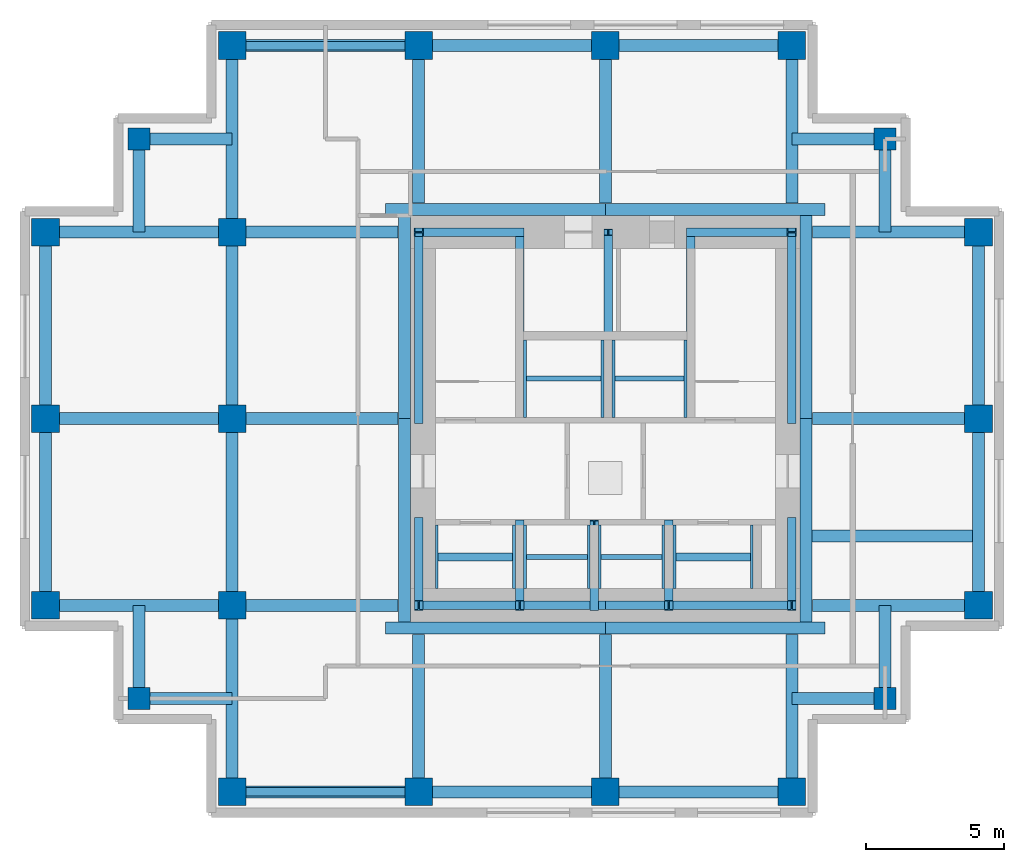
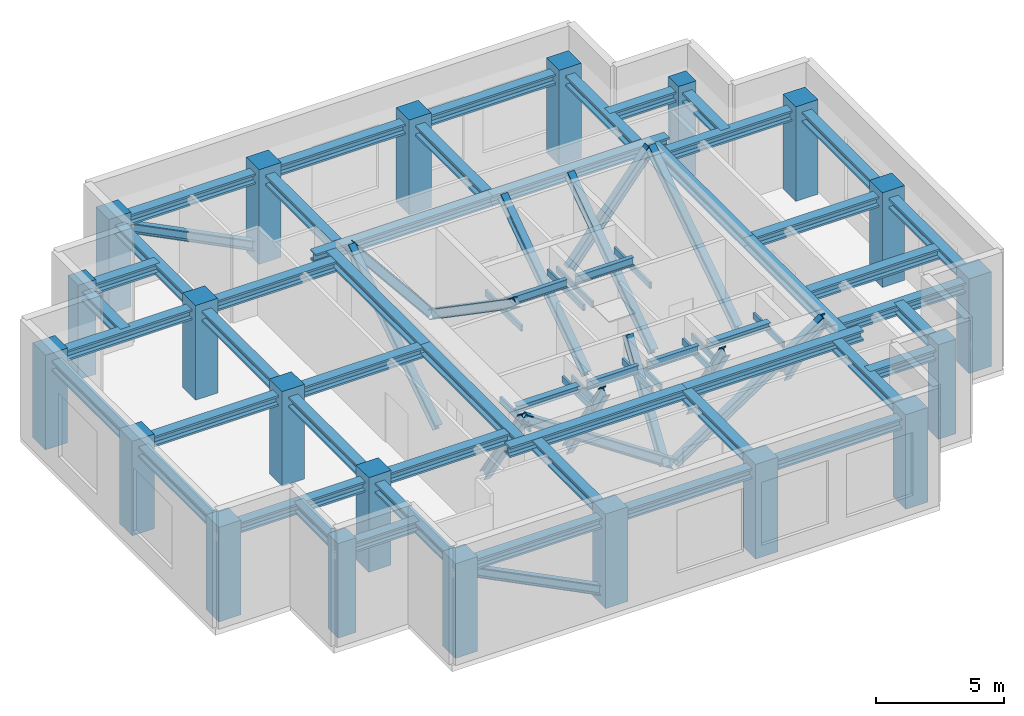
# One storey, part 1 of 4: 64 beams, 21 columns, 16 members.
"""IFC4 building model written with IfcOpenShell, lengths in metres."""

from ifc_helpers import new_model, si_unit, direction, frame, origin, origin_2d, place, context, subcontext, project, spatial, rectangle, hollow_rectangle, i_section, extrude, material, material_profile, profile_set, type_object, element, save


model = new_model("IFC4")

# Units and contexts
model_context = context("Model", 3, precision=1e-05, world=origin(), true_north=direction((0.0, 1.0)))
body_context = subcontext(model_context, "Body", "Model", "MODEL_VIEW")
ifc_project = project(units=[si_unit("LENGTHUNIT", "METRE"), si_unit("AREAUNIT", "SQUARE_METRE"), si_unit("VOLUMEUNIT", "CUBIC_METRE"), si_unit("PLANEANGLEUNIT", "RADIAN"), si_unit("MASSUNIT", "GRAM", prefix="KILO")], contexts=[model_context])

# Site, building, storey
site_placement = place(None, origin())
site = spatial("IfcSite", under=ifc_project, at=site_placement, CompositionType="ELEMENT")
building_placement = place(site_placement, origin())
building = spatial("IfcBuilding", under=site, at=building_placement, Name="Nyansa Garden Tower", CompositionType="ELEMENT")
storey_placement = place(building_placement, frame((0.0, 0.0, 254.699951171875)))
storey = spatial("IfcBuildingStorey", under=building, at=storey_placement, Name="L69", CompositionType="ELEMENT", Elevation=254.699951171875)

# Columns
ifc_material_1 = material(Name="Concrete C70/85", Category="concrete")
ifc_material_profile_1 = material_profile(ifc_material_1, rectangle(XDim=1.0, YDim=1.0, at=origin_2d()), Name="RC 1000x1000")
ifc_profile_set_1 = profile_set([ifc_material_profile_1], Name="Concrete C70/85")
column_type_1 = type_object("IfcColumnType", Name="Column C100 RC 1000x1000", PredefinedType="COLUMN", material=ifc_profile_set_1)
for number, where, z_axis, x_axis, name in (
    (1, (0.0, 13.5, 0.0), (0.0, 0.0, 1.0), (1.0, 0.0, 0.0), "Column 2/F L69"),
    (2, (0.0, 20.25, 0.0), (0.0, 0.0, 1.0), (1.0, 0.0, 0.0), "Column 2/G L69"),
    (3, (0.0, 27.0, 0.0), (0.0, 0.0, 1.0), (1.0, 0.0, 0.0), "Column 2/H L69"),
    (4, (6.75, 6.75, 0.0), (0.0, 0.0, 1.0), (1.0, 0.0, 0.0), "Column 3/E L69"),
    (5, (6.75, 13.5, 0.0), (0.0, 0.0, 1.0), (1.0, 0.0, 0.0), "Column 3/F L69"),
    (6, (6.75, 20.25, 0.0), (0.0, 0.0, 1.0), (1.0, 0.0, 0.0), "Column 3/G L69"),
    (7, (6.75, 27.0, 0.0), (0.0, 0.0, 1.0), (1.0, 0.0, 0.0), "Column 3/H L69"),
    (8, (6.75, 33.75, 0.0), (0.0, 0.0, 1.0), (1.0, 0.0, 0.0), "Column 3/J L69"),
    (9, (13.5, 6.75, 0.0), (0.0, 0.0, 1.0), (1.0, 0.0, 0.0), "Column 4/E L69"),
    (10, (13.5, 33.75, 0.0), (0.0, 0.0, 1.0), (1.0, 0.0, 0.0), "Column 4/J L69"),
    (11, (20.25, 6.75, 0.0), (0.0, 0.0, 1.0), (1.0, 0.0, 0.0), "Column 5/E L69"),
    (12, (20.25, 33.75, 0.0), (0.0, 0.0, 1.0), (1.0, 0.0, 0.0), "Column 5/J L69"),
    (13, (27.0, 6.75, 0.0), (0.0, 0.0, 1.0), (1.0, 0.0, 0.0), "Column 6/E L69"),
    (14, (27.0, 33.75, 0.0), (0.0, 0.0, 1.0), (1.0, 0.0, 0.0), "Column 6/J L69"),
    (15, (33.75, 13.5, 0.0), (0.0, 0.0, 1.0), (1.0, 0.0, 0.0), "Column 7/F L69"),
    (16, (33.75, 20.25, 0.0), (0.0, 0.0, 1.0), (1.0, 0.0, 0.0), "Column 7/G L69"),
    (17, (33.75, 27.0, 0.0), (0.0, 0.0, 1.0), (1.0, 0.0, 0.0), "Column 7/H L69"),
):
    element("IfcColumn", number, at=place(storey_placement, frame(where, z_axis=z_axis, x_axis=x_axis)), inside=storey, type_object=column_type_1, Name=name, PredefinedType="COLUMN", context=body_context, shape_type="SweptSolid", body=[
        extrude(rectangle(XDim=1.0, YDim=1.0, at=origin_2d()), origin(), (0.0, 0.0, 1.0), 4.5),
    ])
ifc_material_2 = material(Name="Concrete C70/85", Category="concrete")
ifc_material_profile_2 = material_profile(ifc_material_2, rectangle(XDim=0.800048828125, YDim=0.800048828125, at=origin_2d()), Name="RC 800x800")
ifc_profile_set_2 = profile_set([ifc_material_profile_2], Name="Concrete C70/85")
column_type_2 = type_object("IfcColumnType", Name="Column C80 RC 800x800", PredefinedType="COLUMN", material=ifc_profile_set_2)
for number, where, z_axis, x_axis, name in (
    (18, (3.375, 10.125, 0.0), (0.0, 0.0, 1.0), (1.0, 0.0, 0.0), "Column x3.375/y10.125 L69"),
    (19, (3.375, 30.375, 0.0), (0.0, 0.0, 1.0), (1.0, 0.0, 0.0), "Column x3.375/y30.375 L69"),
    (20, (30.375, 10.125, 0.0), (0.0, 0.0, 1.0), (1.0, 0.0, 0.0), "Column x30.375/y10.125 L69"),
    (21, (30.375, 30.375, 0.0), (0.0, 0.0, 1.0), (1.0, 0.0, 0.0), "Column x30.375/y30.375 L69"),
):
    element("IfcColumn", number, at=place(storey_placement, frame(where, z_axis=z_axis, x_axis=x_axis)), inside=storey, type_object=column_type_2, Name=name, PredefinedType="COLUMN", context=body_context, shape_type="SweptSolid", body=[
        extrude(rectangle(XDim=0.800048828125, YDim=0.800048828125, at=origin_2d()), origin(), (0.0, 0.0, 1.0), 4.5),
    ])

# Beams
ifc_material_3 = material(Name="Steel S355", Category="steel")
ifc_material_profile_3 = material_profile(ifc_material_3, hollow_rectangle(XDim=0.10009765625, YDim=0.300048828125, WallThickness=0.010009765625, at=origin_2d()), Name="RHS 300x100x10")
ifc_profile_set_3 = profile_set([ifc_material_profile_3], Name="Steel S355")
beam_type_1 = type_object("IfcBeamType", Name="Hoist beam ledger RHS 300x100x10", PredefinedType="BEAM", material=ifc_profile_set_3)
for number, where, z_axis, x_axis, name in (
    (22, (14.14990234375, 14.10009765625, 3.400146484375), (0.0, 1.0, 0.0), (-1.0, 0.0, 0.0), "Hoist beam ledger FF1 W"),
    (23, (16.949951171875, 14.10009765625, 3.400146484375), (0.0, 1.0, 0.0), (-1.0, 0.0, 0.0), "Hoist beam ledger FF1 E"),
    (24, (17.35009765625, 14.10009765625, 3.300048828125), (0.0, 1.0, 0.0), (-1.0, 0.0, 0.0), "Hoist beam ledger B1 W"),
    (25, (19.64990234375, 14.10009765625, 3.300048828125), (0.0, 1.0, 0.0), (-1.0, 0.0, 0.0), "Hoist beam ledger B1 E"),
    (26, (20.050048828125, 14.10009765625, 3.300048828125), (0.0, 1.0, 0.0), (-1.0, 0.0, 0.0), "Hoist beam ledger B2 W"),
    (27, (22.35009765625, 14.10009765625, 3.300048828125), (0.0, 1.0, 0.0), (-1.0, 0.0, 0.0), "Hoist beam ledger B2 E"),
    (28, (22.75, 14.10009765625, 3.400146484375), (0.0, 1.0, 0.0), (-1.0, 0.0, 0.0), "Hoist beam ledger FF2 W"),
    (29, (25.550048828125, 14.10009765625, 3.400146484375), (0.0, 1.0, 0.0), (-1.0, 0.0, 0.0), "Hoist beam ledger FF2 E"),
):
    element("IfcBeam", number, at=place(storey_placement, frame(where, z_axis=z_axis, x_axis=x_axis)), inside=storey, type_object=beam_type_1, Name=name, PredefinedType="BEAM", context=body_context, shape_type="SweptSolid", body=[
        extrude(hollow_rectangle(XDim=0.10009765625, YDim=0.300048828125, WallThickness=0.010009765625, at=origin_2d()), origin(), (0.0, 0.0, 1.0), 2.2998046875),
    ])
for number, where, z_axis, x_axis, name in (
    (30, (17.35009765625, 20.300048828125, 3.300048828125), (0.0, 1.0, 0.0), (-1.0, 0.0, 0.0), "Hoist beam ledger B3 W"),
    (31, (20.14990234375, 20.300048828125, 3.300048828125), (0.0, 1.0, 0.0), (-1.0, 0.0, 0.0), "Hoist beam ledger B3 E"),
    (32, (20.550048828125, 20.300048828125, 3.300048828125), (0.0, 1.0, 0.0), (-1.0, 0.0, 0.0), "Hoist beam ledger B4 W"),
    (33, (23.14990234375, 20.300048828125, 3.300048828125), (0.0, 1.0, 0.0), (-1.0, 0.0, 0.0), "Hoist beam ledger B4 E"),
):
    element("IfcBeam", number, at=place(storey_placement, frame(where, z_axis=z_axis, x_axis=x_axis)), inside=storey, type_object=beam_type_1, Name=name, PredefinedType="BEAM", context=body_context, shape_type="SweptSolid", body=[
        extrude(hollow_rectangle(XDim=0.10009765625, YDim=0.300048828125, WallThickness=0.010009765625, at=origin_2d()), origin(), (0.0, 0.0, 1.0), 2.800048828125),
    ])
ifc_material_4 = material(Name="Steel S355", Category="steel")
ifc_material_profile_4 = material_profile(ifc_material_4, i_section(OverallWidth=0.300048828125, OverallDepth=0.300048828125, WebThickness=0.010986328125, FlangeThickness=0.01904296875, FilletRadius=0.027099609375, at=origin_2d()), Name="HE 300 B")
ifc_profile_set_4 = profile_set([ifc_material_profile_4], Name="Steel S355")
beam_type_2 = type_object("IfcBeamType", Name="Lift hoist beam HE 300 B", PredefinedType="BEAM", material=ifc_profile_set_4)
for number, where, z_axis, x_axis, name in (
    (34, (14.14990234375, 15.25, 3.699951171875), (1.0, 0.0, 0.0), (0.0, 1.0, 0.0), "Lift hoist beam FF1"),
    (35, (22.75, 15.25, 3.699951171875), (1.0, 0.0, 0.0), (0.0, 1.0, 0.0), "Lift hoist beam FF2"),
):
    element("IfcBeam", number, at=place(storey_placement, frame(where, z_axis=z_axis, x_axis=x_axis)), inside=storey, type_object=beam_type_2, Name=name, PredefinedType="BEAM", context=body_context, shape_type="SweptSolid", body=[
        extrude(i_section(OverallWidth=0.300048828125, OverallDepth=0.300048828125, WebThickness=0.010986328125, FlangeThickness=0.01904296875, FilletRadius=0.027099609375, at=origin_2d()), origin(), (0.0, 0.0, 1.0), 2.800048828125),
    ])
ifc_material_5 = material(Name="Steel S355", Category="steel")
ifc_material_profile_5 = material_profile(ifc_material_5, i_section(OverallWidth=0.179931640625, OverallDepth=0.39990234375, WebThickness=0.008544921875, FlangeThickness=0.013427734375, FilletRadius=0.02099609375, at=origin_2d()), Name="IPE 400")
ifc_profile_set_5 = profile_set([ifc_material_profile_5], Name="Steel S355")
beam_type_3 = type_object("IfcBeamType", Name="Lift hoist beam IPE 400", PredefinedType="BEAM", material=ifc_profile_set_5)
beam_1_placement = place(storey_placement, frame((17.35009765625, 15.25, 3.650146484375), z_axis=(1.0, 0.0, 0.0), x_axis=(0.0, 1.0, 0.0)))
element("IfcBeam", 36, at=beam_1_placement, inside=storey, type_object=beam_type_3, Name="Lift hoist beam B1", PredefinedType="BEAM", context=body_context, shape_type="SweptSolid", body=[
    extrude(i_section(OverallWidth=0.179931640625, OverallDepth=0.39990234375, WebThickness=0.008544921875, FlangeThickness=0.013427734375, FilletRadius=0.02099609375, at=origin_2d()), origin(), (0.0, 0.0, 1.0), 2.2998046875),
])
beam_2_placement = place(storey_placement, frame((20.050048828125, 15.25, 3.650146484375), z_axis=(1.0, 0.0, 0.0), x_axis=(0.0, 1.0, 0.0)))
element("IfcBeam", 37, at=beam_2_placement, inside=storey, type_object=beam_type_3, Name="Lift hoist beam B2", PredefinedType="BEAM", context=body_context, shape_type="SweptSolid", body=[
    extrude(i_section(OverallWidth=0.179931640625, OverallDepth=0.39990234375, WebThickness=0.008544921875, FlangeThickness=0.013427734375, FilletRadius=0.02099609375, at=origin_2d()), origin(), (0.0, 0.0, 1.0), 2.300048828125),
])
beam_3_placement = place(storey_placement, frame((17.35009765625, 21.699951171875, 3.650146484375), z_axis=(1.0, 0.0, 0.0), x_axis=(0.0, 1.0, 0.0)))
element("IfcBeam", 38, at=beam_3_placement, inside=storey, type_object=beam_type_3, Name="Lift hoist beam B3", PredefinedType="BEAM", context=body_context, shape_type="SweptSolid", body=[
    extrude(i_section(OverallWidth=0.179931640625, OverallDepth=0.39990234375, WebThickness=0.008544921875, FlangeThickness=0.013427734375, FilletRadius=0.02099609375, at=origin_2d()), origin(), (0.0, 0.0, 1.0), 2.7998046875),
])
beam_4_placement = place(storey_placement, frame((20.550048828125, 21.699951171875, 3.650146484375), z_axis=(1.0, 0.0, 0.0), x_axis=(0.0, 1.0, 0.0)))
element("IfcBeam", 39, at=beam_4_placement, inside=storey, type_object=beam_type_3, Name="Lift hoist beam B4", PredefinedType="BEAM", context=body_context, shape_type="SweptSolid", body=[
    extrude(i_section(OverallWidth=0.179931640625, OverallDepth=0.39990234375, WebThickness=0.008544921875, FlangeThickness=0.013427734375, FilletRadius=0.02099609375, at=origin_2d()), origin(), (0.0, 0.0, 1.0), 2.599853515625),
])

# Members
ifc_material_6 = material(Name="Steel S355", Category="steel")
ifc_material_profile_6 = material_profile(ifc_material_6, i_section(OverallWidth=0.306884765625, OverallDepth=0.431884765625, WebThickness=0.02099609375, FlangeThickness=0.0400390625, FilletRadius=0.027099609375, at=origin_2d()), Name="HE 400 M")
ifc_profile_set_6 = profile_set([ifc_material_profile_6], Name="Steel S355")
member_type = type_object("IfcMemberType", Name="Perimeter brace HE 400 M", PredefinedType="BRACE", material=ifc_profile_set_6)
for number, where, z_axis, x_axis, name in (
    (40, (20.25, 13.5, 0.0), (-0.832050294338, 0.0, 0.554700196225), (0.0, -1.0, 0.0), "Core brace CS1 L69"),
    (41, (20.25, 13.5, 0.0), (0.832050294338, 0.0, 0.554700196225), (0.0, 1.0, 0.0), "Core brace CS2 L69"),
):
    element("IfcMember", number, at=place(storey_placement, frame(where, z_axis=z_axis, x_axis=x_axis)), inside=storey, type_object=member_type, Name=name, PredefinedType="BRACE", context=body_context, shape_type="SweptSolid", body=[
        extrude(i_section(OverallWidth=0.306884765625, OverallDepth=0.431884765625, WebThickness=0.02099609375, FlangeThickness=0.0400390625, FilletRadius=0.027099609375, at=origin_2d()), origin(), (0.0, 0.0, 1.0), 8.112548828125),
    ])
for number, where, z_axis, x_axis, name in (
    (42, (17.14990234375, 27.0, 0.0), (-0.629932498557, 0.0, 0.776649887184), (0.0, -1.0, 0.0), "Core brace CN3 L69"),
    (43, (23.35009765625, 27.0, 0.0), (0.629932498557, 0.0, 0.776649887184), (0.0, 1.0, 0.0), "Core brace CN4 L69"),
):
    element("IfcMember", number, at=place(storey_placement, frame(where, z_axis=z_axis, x_axis=x_axis)), inside=storey, type_object=member_type, Name=name, PredefinedType="BRACE", context=body_context, shape_type="SweptSolid", body=[
        extrude(i_section(OverallWidth=0.306884765625, OverallDepth=0.431884765625, WebThickness=0.02099609375, FlangeThickness=0.0400390625, FilletRadius=0.027099609375, at=origin_2d()), origin(), (0.0, 0.0, 1.0), 5.794189453125),
    ])
member_1_placement = place(storey_placement, frame((13.5, 16.5, 0.0), z_axis=(0.0, -0.554700196225, 0.832050294338), x_axis=(1.0, 0.0, 0.0)))
element("IfcMember", 44, at=member_1_placement, inside=storey, type_object=member_type, Name="Core brace CW5 L69", PredefinedType="BRACE", context=body_context, shape_type="SweptSolid", body=[
    extrude(i_section(OverallWidth=0.306884765625, OverallDepth=0.431884765625, WebThickness=0.02099609375, FlangeThickness=0.0400390625, FilletRadius=0.027099609375, at=origin_2d()), origin(), (0.0, 0.0, 1.0), 5.408447265625),
])
member_2_placement = place(storey_placement, frame((13.5, 20.199951171875, 0.0), z_axis=(0.0, 0.833934029443, 0.551864145), x_axis=(-1.0, 0.0, 0.0)))
element("IfcMember", 45, at=member_2_placement, inside=storey, type_object=member_type, Name="Core brace CW6 L69", PredefinedType="BRACE", context=body_context, shape_type="SweptSolid", body=[
    extrude(i_section(OverallWidth=0.306884765625, OverallDepth=0.431884765625, WebThickness=0.02099609375, FlangeThickness=0.0400390625, FilletRadius=0.027099609375, at=origin_2d()), origin(), (0.0, 0.0, 1.0), 8.154296875),
])
member_3_placement = place(storey_placement, frame((27.0, 16.5, 0.0), z_axis=(0.0, -0.554700196225, 0.832050294338), x_axis=(1.0, 0.0, 0.0)))
element("IfcMember", 46, at=member_3_placement, inside=storey, type_object=member_type, Name="Core brace CE7 L69", PredefinedType="BRACE", context=body_context, shape_type="SweptSolid", body=[
    extrude(i_section(OverallWidth=0.306884765625, OverallDepth=0.431884765625, WebThickness=0.02099609375, FlangeThickness=0.0400390625, FilletRadius=0.027099609375, at=origin_2d()), origin(), (0.0, 0.0, 1.0), 5.408447265625),
])
member_4_placement = place(storey_placement, frame((27.0, 20.199951171875, 0.0), z_axis=(0.0, 0.833934029443, 0.551864145), x_axis=(-1.0, 0.0, 0.0)))
element("IfcMember", 47, at=member_4_placement, inside=storey, type_object=member_type, Name="Core brace CE8 L69", PredefinedType="BRACE", context=body_context, shape_type="SweptSolid", body=[
    extrude(i_section(OverallWidth=0.306884765625, OverallDepth=0.431884765625, WebThickness=0.02099609375, FlangeThickness=0.0400390625, FilletRadius=0.027099609375, at=origin_2d()), origin(), (0.0, 0.0, 1.0), 8.154296875),
])
for number, where, z_axis, x_axis, name in (
    (48, (17.14990234375, 27.0, 0.0), (0.0, -0.824227431411, 0.566258899541), (1.0, 0.0, 0.0), "Core brace CWS9 L69"),
    (49, (23.35009765625, 20.449951171875, 0.0), (0.0, 0.824227431411, 0.566258899541), (-1.0, 0.0, 0.0), "Core brace CES10 L69"),
):
    element("IfcMember", number, at=place(storey_placement, frame(where, z_axis=z_axis, x_axis=x_axis)), inside=storey, type_object=member_type, Name=name, PredefinedType="BRACE", context=body_context, shape_type="SweptSolid", body=[
        extrude(i_section(OverallWidth=0.306884765625, OverallDepth=0.431884765625, WebThickness=0.02099609375, FlangeThickness=0.0400390625, FilletRadius=0.027099609375, at=origin_2d()), origin(), (0.0, 0.0, 1.0), 7.94677734375),
    ])
for number, where, z_axis, x_axis, name in (
    (50, (17.14990234375, 16.39990234375, 0.0), (0.0, -0.541688444786, 0.84057934116), (1.0, 0.0, 0.0), "Core brace CSW11 L69"),
    (51, (19.85009765625, 13.5, 0.0), (0.0, 0.541688444786, 0.84057934116), (-1.0, 0.0, 0.0), "Core brace CSW12 L69"),
    (52, (22.550048828125, 16.39990234375, 0.0), (0.0, -0.541688444786, 0.84057934116), (1.0, 0.0, 0.0), "Core brace CSW13 L69"),
):
    element("IfcMember", number, at=place(storey_placement, frame(where, z_axis=z_axis, x_axis=x_axis)), inside=storey, type_object=member_type, Name=name, PredefinedType="BRACE", context=body_context, shape_type="SweptSolid", body=[
        extrude(i_section(OverallWidth=0.306884765625, OverallDepth=0.431884765625, WebThickness=0.02099609375, FlangeThickness=0.0400390625, FilletRadius=0.027099609375, at=origin_2d()), origin(), (0.0, 0.0, 1.0), 5.353515625),
    ])
member_5_placement = place(storey_placement, frame((20.35009765625, 20.449951171875, 0.0), z_axis=(0.0, 0.824227431411, 0.566258899541), x_axis=(-1.0, 0.0, 0.0)))
element("IfcMember", 53, at=member_5_placement, inside=storey, type_object=member_type, Name="Core brace CNW14 L69", PredefinedType="BRACE", context=body_context, shape_type="SweptSolid", body=[
    extrude(i_section(OverallWidth=0.306884765625, OverallDepth=0.431884765625, WebThickness=0.02099609375, FlangeThickness=0.0400390625, FilletRadius=0.027099609375, at=origin_2d()), origin(), (0.0, 0.0, 1.0), 7.94677734375),
])
for number, where, z_axis, x_axis, name in (
    (54, (13.5, 6.75, 0.400146484375), (-0.893105356343, 0.0, 0.449847554703), (0.0, -1.0, 0.0), "Perimeter brace S1 L69"),
    (55, (13.5, 33.75, 0.400146484375), (-0.893105356343, 0.0, 0.449847554703), (0.0, -1.0, 0.0), "Perimeter brace N1 L69"),
):
    element("IfcMember", number, at=place(storey_placement, frame(where, z_axis=z_axis, x_axis=x_axis)), inside=storey, type_object=member_type, Name=name, PredefinedType="BRACE", context=body_context, shape_type="SweptSolid", body=[
        extrude(i_section(OverallWidth=0.306884765625, OverallDepth=0.431884765625, WebThickness=0.02099609375, FlangeThickness=0.0400390625, FilletRadius=0.027099609375, at=origin_2d()), origin(), (0.0, 0.0, 1.0), 7.557861328125),
    ])

# Beams
ifc_material_7 = material(Name="Steel S355", Category="steel")
ifc_material_profile_7 = material_profile(ifc_material_7, i_section(OverallWidth=0.431884765625, OverallDepth=0.498046875, WebThickness=0.0556640625, FlangeThickness=0.0888671875, FilletRadius=0.014892578125, at=origin_2d()), Name="HD 400x744")
ifc_profile_set_7 = profile_set([ifc_material_profile_7], Name="Steel S355")
beam_type_4 = type_object("IfcBeamType", Name="Steel beam SBD1-744 HD 400x744", PredefinedType="BEAM", material=ifc_profile_set_7)
for number, where, z_axis, x_axis, name in (
    (56, (0.0, 13.5, 3.901123046875), (1.0, 0.0, 0.0), (0.0, 1.0, 0.0), "Steel beam 2/F-3/F L70"),
    (57, (0.0, 20.25, 3.901123046875), (1.0, 0.0, 0.0), (0.0, 1.0, 0.0), "Steel beam 2/G-3/G L70"),
    (58, (0.0, 27.0, 3.901123046875), (1.0, 0.0, 0.0), (0.0, 1.0, 0.0), "Steel beam 2/H-3/H L70"),
    (59, (6.75, 6.75, 3.901123046875), (0.0, 1.0, 0.0), (-1.0, 0.0, 0.0), "Steel beam 3/E-3/F L70"),
    (60, (6.75, 13.5, 3.901123046875), (0.0, 1.0, 0.0), (-1.0, 0.0, 0.0), "Steel beam 3/F-3/G L70"),
):
    element("IfcBeam", number, at=place(storey_placement, frame(where, z_axis=z_axis, x_axis=x_axis)), inside=storey, type_object=beam_type_4, Name=name, PredefinedType="BEAM", context=body_context, shape_type="SweptSolid", body=[
        extrude(i_section(OverallWidth=0.431884765625, OverallDepth=0.498046875, WebThickness=0.0556640625, FlangeThickness=0.0888671875, FilletRadius=0.014892578125, at=origin_2d()), origin(), (0.0, 0.0, 1.0), 6.75),
    ])
beam_5_placement = place(storey_placement, frame((6.75, 13.5, 3.901123046875), z_axis=(1.0, 0.0, 0.0), x_axis=(0.0, 1.0, 0.0)))
element("IfcBeam", 61, at=beam_5_placement, inside=storey, type_object=beam_type_4, Name="Steel beam 3/F-12.750/F L70", PredefinedType="BEAM", context=body_context, shape_type="SweptSolid", body=[
    extrude(i_section(OverallWidth=0.431884765625, OverallDepth=0.498046875, WebThickness=0.0556640625, FlangeThickness=0.0888671875, FilletRadius=0.014892578125, at=origin_2d()), origin(), (0.0, 0.0, 1.0), 6.0),
])
beam_6_placement = place(storey_placement, frame((6.75, 20.25, 3.901123046875), z_axis=(0.0, 1.0, 0.0), x_axis=(-1.0, 0.0, 0.0)))
element("IfcBeam", 62, at=beam_6_placement, inside=storey, type_object=beam_type_4, Name="Steel beam 3/G-3/H L70", PredefinedType="BEAM", context=body_context, shape_type="SweptSolid", body=[
    extrude(i_section(OverallWidth=0.431884765625, OverallDepth=0.498046875, WebThickness=0.0556640625, FlangeThickness=0.0888671875, FilletRadius=0.014892578125, at=origin_2d()), origin(), (0.0, 0.0, 1.0), 6.75),
])
beam_7_placement = place(storey_placement, frame((6.75, 20.25, 3.901123046875), z_axis=(1.0, 0.0, 0.0), x_axis=(0.0, 1.0, 0.0)))
element("IfcBeam", 63, at=beam_7_placement, inside=storey, type_object=beam_type_4, Name="Steel beam 3/G-12.750/G L70", PredefinedType="BEAM", context=body_context, shape_type="SweptSolid", body=[
    extrude(i_section(OverallWidth=0.431884765625, OverallDepth=0.498046875, WebThickness=0.0556640625, FlangeThickness=0.0888671875, FilletRadius=0.014892578125, at=origin_2d()), origin(), (0.0, 0.0, 1.0), 6.0),
])
beam_8_placement = place(storey_placement, frame((6.75, 27.0, 3.901123046875), z_axis=(0.0, 1.0, 0.0), x_axis=(-1.0, 0.0, 0.0)))
element("IfcBeam", 64, at=beam_8_placement, inside=storey, type_object=beam_type_4, Name="Steel beam 3/H-3/J L70", PredefinedType="BEAM", context=body_context, shape_type="SweptSolid", body=[
    extrude(i_section(OverallWidth=0.431884765625, OverallDepth=0.498046875, WebThickness=0.0556640625, FlangeThickness=0.0888671875, FilletRadius=0.014892578125, at=origin_2d()), origin(), (0.0, 0.0, 1.0), 6.75),
])
beam_9_placement = place(storey_placement, frame((6.75, 27.0, 3.901123046875), z_axis=(1.0, 0.0, 0.0), x_axis=(0.0, 1.0, 0.0)))
element("IfcBeam", 65, at=beam_9_placement, inside=storey, type_object=beam_type_4, Name="Steel beam 3/H-12.750/H L70", PredefinedType="BEAM", context=body_context, shape_type="SweptSolid", body=[
    extrude(i_section(OverallWidth=0.431884765625, OverallDepth=0.498046875, WebThickness=0.0556640625, FlangeThickness=0.0888671875, FilletRadius=0.014892578125, at=origin_2d()), origin(), (0.0, 0.0, 1.0), 6.0),
])
for number, where, z_axis, x_axis, name in (
    (66, (13.5, 6.75, 3.901123046875), (0.0, 1.0, 0.0), (-1.0, 0.0, 0.0), "Steel beam 4/E-4/12.450 L70"),
    (67, (13.5, 28.050048828125, 3.901123046875), (0.0, 1.0, 0.0), (-1.0, 0.0, 0.0), "Steel beam 4/28.050-4/J L70"),
    (68, (20.25, 6.75, 3.901123046875), (0.0, 1.0, 0.0), (-1.0, 0.0, 0.0), "Steel beam 5/E-5/12.450 L70"),
    (69, (20.25, 28.050048828125, 3.901123046875), (0.0, 1.0, 0.0), (-1.0, 0.0, 0.0), "Steel beam 5/28.050-5/J L70"),
    (70, (27.0, 6.75, 3.901123046875), (0.0, 1.0, 0.0), (-1.0, 0.0, 0.0), "Steel beam 6/E-6/12.450 L70"),
):
    element("IfcBeam", number, at=place(storey_placement, frame(where, z_axis=z_axis, x_axis=x_axis)), inside=storey, type_object=beam_type_4, Name=name, PredefinedType="BEAM", context=body_context, shape_type="SweptSolid", body=[
        extrude(i_section(OverallWidth=0.431884765625, OverallDepth=0.498046875, WebThickness=0.0556640625, FlangeThickness=0.0888671875, FilletRadius=0.014892578125, at=origin_2d()), origin(), (0.0, 0.0, 1.0), 5.699951171875),
    ])
for number, where, z_axis, x_axis, name in (
    (71, (27.75, 13.5, 3.901123046875), (1.0, 0.0, 0.0), (0.0, 1.0, 0.0), "Steel beam 27.750/F-7/F L70"),
    (72, (27.75, 20.25, 3.901123046875), (1.0, 0.0, 0.0), (0.0, 1.0, 0.0), "Steel beam 27.750/G-7/G L70"),
):
    element("IfcBeam", number, at=place(storey_placement, frame(where, z_axis=z_axis, x_axis=x_axis)), inside=storey, type_object=beam_type_4, Name=name, PredefinedType="BEAM", context=body_context, shape_type="SweptSolid", body=[
        extrude(i_section(OverallWidth=0.431884765625, OverallDepth=0.498046875, WebThickness=0.0556640625, FlangeThickness=0.0888671875, FilletRadius=0.014892578125, at=origin_2d()), origin(), (0.0, 0.0, 1.0), 6.0),
    ])
beam_10_placement = place(storey_placement, frame((27.0, 28.050048828125, 3.901123046875), z_axis=(0.0, 1.0, 0.0), x_axis=(-1.0, 0.0, 0.0)))
element("IfcBeam", 73, at=beam_10_placement, inside=storey, type_object=beam_type_4, Name="Steel beam 6/28.050-6/J L70", PredefinedType="BEAM", context=body_context, shape_type="SweptSolid", body=[
    extrude(i_section(OverallWidth=0.431884765625, OverallDepth=0.498046875, WebThickness=0.0556640625, FlangeThickness=0.0888671875, FilletRadius=0.014892578125, at=origin_2d()), origin(), (0.0, 0.0, 1.0), 5.699951171875),
])
beam_11_placement = place(storey_placement, frame((27.75, 27.0, 3.901123046875), z_axis=(1.0, 0.0, 0.0), x_axis=(0.0, 1.0, 0.0)))
element("IfcBeam", 74, at=beam_11_placement, inside=storey, type_object=beam_type_4, Name="Steel beam 27.750/H-7/H L70", PredefinedType="BEAM", context=body_context, shape_type="SweptSolid", body=[
    extrude(i_section(OverallWidth=0.431884765625, OverallDepth=0.498046875, WebThickness=0.0556640625, FlangeThickness=0.0888671875, FilletRadius=0.014892578125, at=origin_2d()), origin(), (0.0, 0.0, 1.0), 6.0),
])
ifc_material_8 = material(Name="Steel S355", Category="steel")
ifc_material_profile_8 = material_profile(ifc_material_8, i_section(OverallWidth=0.431884765625, OverallDepth=0.498046875, WebThickness=0.0556640625, FlangeThickness=0.0888671875, FilletRadius=0.014892578125, at=origin_2d()), Name="HD 400x744")
ifc_profile_set_8 = profile_set([ifc_material_profile_8], Name="Steel S355")
beam_type_5 = type_object("IfcBeamType", Name="Steel beam SEBD-744 HD 400x744", PredefinedType="BEAM", material=ifc_profile_set_8)
for number, where, z_axis, x_axis, name in (
    (75, (0.0, 13.5, 3.901123046875), (0.0, 1.0, 0.0), (-1.0, 0.0, 0.0), "Steel edge beam 2/F-2/G L70"),
    (76, (0.0, 20.25, 3.901123046875), (0.0, 1.0, 0.0), (-1.0, 0.0, 0.0), "Steel edge beam 2/G-2/H L70"),
    (77, (6.75, 6.75, 3.901123046875), (1.0, 0.0, 0.0), (0.0, 1.0, 0.0), "Steel edge beam 3/E-4/E L70"),
    (78, (6.75, 33.75, 3.901123046875), (1.0, 0.0, 0.0), (0.0, 1.0, 0.0), "Steel edge beam 3/J-4/J L70"),
    (79, (13.5, 6.75, 3.901123046875), (1.0, 0.0, 0.0), (0.0, 1.0, 0.0), "Steel edge beam 4/E-5/E L70"),
    (80, (13.5, 33.75, 3.901123046875), (1.0, 0.0, 0.0), (0.0, 1.0, 0.0), "Steel edge beam 4/J-5/J L70"),
    (81, (20.25, 6.75, 3.901123046875), (1.0, 0.0, 0.0), (0.0, 1.0, 0.0), "Steel edge beam 5/E-6/E L70"),
    (82, (20.25, 33.75, 3.901123046875), (1.0, 0.0, 0.0), (0.0, 1.0, 0.0), "Steel edge beam 5/J-6/J L70"),
    (83, (33.75, 13.5, 3.901123046875), (0.0, 1.0, 0.0), (-1.0, 0.0, 0.0), "Steel edge beam 7/F-7/G L70"),
    (84, (33.75, 20.25, 3.901123046875), (0.0, 1.0, 0.0), (-1.0, 0.0, 0.0), "Steel edge beam 7/G-7/H L70"),
):
    element("IfcBeam", number, at=place(storey_placement, frame(where, z_axis=z_axis, x_axis=x_axis)), inside=storey, type_object=beam_type_5, Name=name, PredefinedType="BEAM", context=body_context, shape_type="SweptSolid", body=[
        extrude(i_section(OverallWidth=0.431884765625, OverallDepth=0.498046875, WebThickness=0.0556640625, FlangeThickness=0.0888671875, FilletRadius=0.014892578125, at=origin_2d()), origin(), (0.0, 0.0, 1.0), 6.75),
    ])
ifc_material_9 = material(Name="Steel S355", Category="steel")
ifc_material_profile_9 = material_profile(ifc_material_9, i_section(OverallWidth=0.431884765625, OverallDepth=0.498046875, WebThickness=0.0556640625, FlangeThickness=0.0888671875, FilletRadius=0.014892578125, at=origin_2d()), Name="HD 400x744")
ifc_profile_set_9 = profile_set([ifc_material_profile_9], Name="Steel S355")
beam_type_6 = type_object("IfcBeamType", Name="Steel beam SLB1-744 HD 400x744", PredefinedType="BEAM", material=ifc_profile_set_9)
for number, where, z_axis, x_axis, name in (
    (85, (12.300048828125, 12.68408203125, 3.901123046875), (1.0, 0.0, 0.0), (0.0, 1.0, 0.0), "Steel core ledger beam S.1 L70"),
    (86, (20.25, 12.68408203125, 3.901123046875), (1.0, 0.0, 0.0), (0.0, 1.0, 0.0), "Steel core ledger beam S.2 L70"),
):
    element("IfcBeam", number, at=place(storey_placement, frame(where, z_axis=z_axis, x_axis=x_axis)), inside=storey, type_object=beam_type_6, Name=name, PredefinedType="BEAM", context=body_context, shape_type="SweptSolid", body=[
        extrude(i_section(OverallWidth=0.431884765625, OverallDepth=0.498046875, WebThickness=0.0556640625, FlangeThickness=0.0888671875, FilletRadius=0.014892578125, at=origin_2d()), origin(), (0.0, 0.0, 1.0), 7.949951171875),
    ])
for number, where, z_axis, x_axis, name in (
    (87, (27.51611328125, 12.89990234375, 3.901123046875), (0.0, 1.0, 0.0), (-1.0, 0.0, 0.0), "Steel core ledger beam E.1 L70"),
    (88, (27.51611328125, 20.25, 3.901123046875), (0.0, 1.0, 0.0), (-1.0, 0.0, 0.0), "Steel core ledger beam E.2 L70"),
):
    element("IfcBeam", number, at=place(storey_placement, frame(where, z_axis=z_axis, x_axis=x_axis)), inside=storey, type_object=beam_type_6, Name=name, PredefinedType="BEAM", context=body_context, shape_type="SweptSolid", body=[
        extrude(i_section(OverallWidth=0.431884765625, OverallDepth=0.498046875, WebThickness=0.0556640625, FlangeThickness=0.0888671875, FilletRadius=0.014892578125, at=origin_2d()), origin(), (0.0, 0.0, 1.0), 7.35009765625),
    ])
for number, where, z_axis, x_axis, name in (
    (89, (28.199951171875, 27.81591796875, 3.901123046875), (-1.0, 0.0, 0.0), (0.0, -1.0, 0.0), "Steel core ledger beam N.1 L70"),
    (90, (20.25, 27.81591796875, 3.901123046875), (-1.0, 0.0, 0.0), (0.0, -1.0, 0.0), "Steel core ledger beam N.2 L70"),
):
    element("IfcBeam", number, at=place(storey_placement, frame(where, z_axis=z_axis, x_axis=x_axis)), inside=storey, type_object=beam_type_6, Name=name, PredefinedType="BEAM", context=body_context, shape_type="SweptSolid", body=[
        extrude(i_section(OverallWidth=0.431884765625, OverallDepth=0.498046875, WebThickness=0.0556640625, FlangeThickness=0.0888671875, FilletRadius=0.014892578125, at=origin_2d()), origin(), (0.0, 0.0, 1.0), 7.949951171875),
    ])
for number, where, z_axis, x_axis, name in (
    (91, (12.98388671875, 27.60009765625, 3.901123046875), (0.0, -1.0, 0.0), (1.0, 0.0, 0.0), "Steel core ledger beam W.1 L70"),
    (92, (12.98388671875, 20.25, 3.901123046875), (0.0, -1.0, 0.0), (1.0, 0.0, 0.0), "Steel core ledger beam W.2 L70"),
):
    element("IfcBeam", number, at=place(storey_placement, frame(where, z_axis=z_axis, x_axis=x_axis)), inside=storey, type_object=beam_type_6, Name=name, PredefinedType="BEAM", context=body_context, shape_type="SweptSolid", body=[
        extrude(i_section(OverallWidth=0.431884765625, OverallDepth=0.498046875, WebThickness=0.0556640625, FlangeThickness=0.0888671875, FilletRadius=0.014892578125, at=origin_2d()), origin(), (0.0, 0.0, 1.0), 7.35009765625),
    ])
ifc_material_10 = material(Name="Steel S355", Category="steel")
ifc_material_profile_10 = material_profile(ifc_material_10, i_section(OverallWidth=0.431884765625, OverallDepth=0.498046875, WebThickness=0.0556640625, FlangeThickness=0.0888671875, FilletRadius=0.014892578125, at=origin_2d()), Name="HD 400x744")
ifc_profile_set_10 = profile_set([ifc_material_profile_10], Name="Steel S355")
beam_type_7 = type_object("IfcBeamType", Name="Steel beam SSB1-744 HD 400x744", PredefinedType="BEAM", material=ifc_profile_set_10)
for number, where, z_axis, x_axis, name in (
    (93, (3.375, 10.125, 3.901123046875), (0.0, 1.0, 0.0), (-1.0, 0.0, 0.0), "Steel step beam 3.375/10.125 L70"),
    (94, (3.375, 10.125, 3.901123046875), (1.0, 0.0, 0.0), (0.0, 1.0, 0.0), "Steel step beam 3.375/10.125 L70"),
    (95, (30.375, 10.125, 3.901123046875), (0.0, 1.0, 0.0), (-1.0, 0.0, 0.0), "Steel step beam 30.375/10.125 L70"),
    (96, (30.375, 10.125, 3.901123046875), (-1.0, 0.0, 0.0), (0.0, -1.0, 0.0), "Steel step beam 30.375/10.125 L70"),
    (97, (30.375, 30.375, 3.901123046875), (0.0, -1.0, 0.0), (1.0, 0.0, 0.0), "Steel step beam 30.375/30.375 L70"),
    (98, (30.375, 30.375, 3.901123046875), (-1.0, 0.0, 0.0), (0.0, -1.0, 0.0), "Steel step beam 30.375/30.375 L70"),
    (99, (3.375, 30.375, 3.901123046875), (0.0, -1.0, 0.0), (1.0, 0.0, 0.0), "Steel step beam 3.375/30.375 L70"),
    (100, (3.375, 30.375, 3.901123046875), (1.0, 0.0, 0.0), (0.0, 1.0, 0.0), "Steel step beam 3.375/30.375 L70"),
):
    element("IfcBeam", number, at=place(storey_placement, frame(where, z_axis=z_axis, x_axis=x_axis)), inside=storey, type_object=beam_type_7, Name=name, PredefinedType="BEAM", context=body_context, shape_type="SweptSolid", body=[
        extrude(i_section(OverallWidth=0.431884765625, OverallDepth=0.498046875, WebThickness=0.0556640625, FlangeThickness=0.0888671875, FilletRadius=0.014892578125, at=origin_2d()), origin(), (0.0, 0.0, 1.0), 3.375),
    ])
beam_12_placement = place(storey_placement, frame((27.73193359375, 16.0, 3.901123046875), z_axis=(1.0, 0.0, 0.0), x_axis=(0.0, 1.0, 0.0)))
element("IfcBeam", 101, at=beam_12_placement, inside=storey, type_object=beam_type_7, Name="Crown access ladder trimmer beam", PredefinedType="BEAM", context=body_context, shape_type="SweptSolid", body=[
    extrude(i_section(OverallWidth=0.431884765625, OverallDepth=0.498046875, WebThickness=0.0556640625, FlangeThickness=0.0888671875, FilletRadius=0.014892578125, at=origin_2d()), origin(), (0.0, 0.0, 1.0), 5.802001953125),
])

save(model, "model.ifc")
